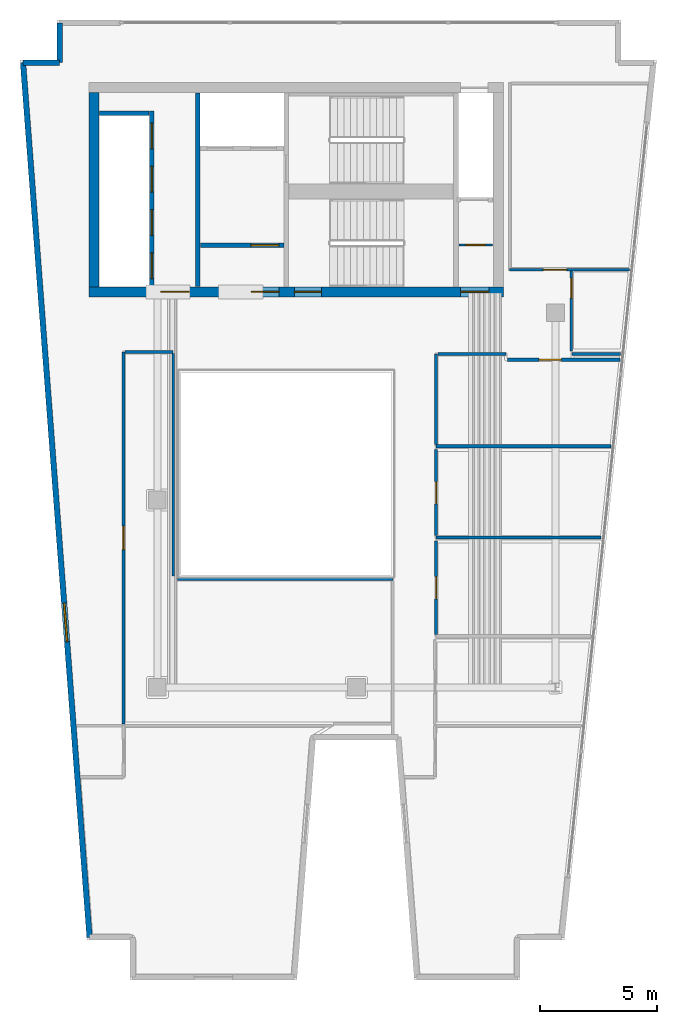
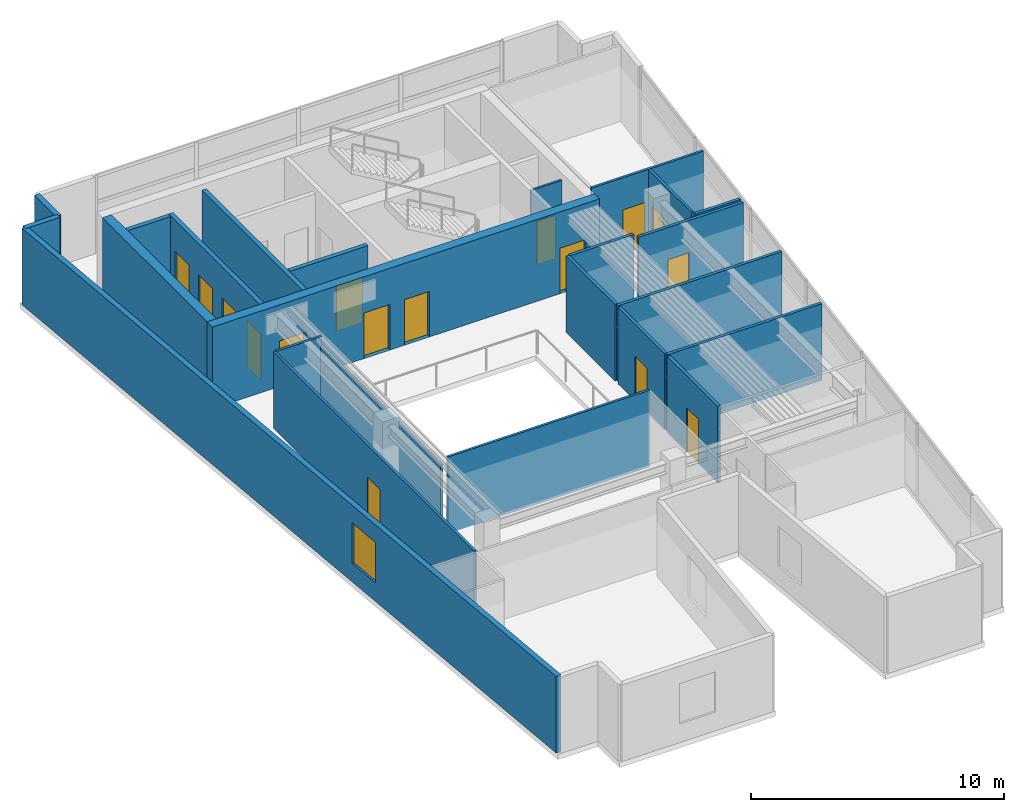
# One storey, part 3 of 6: 24 walls, 16 doors, 1 window, 17 openings.
"""IFC4 building model written with IfcOpenShell, lengths in metres."""

from ifc_helpers import new_model, si_unit, direction, frame, frame_2d, origin, place, context, subcontext, project, spatial, rectangle, extrude, material, layer, layer_set, type_object, element, fill, save


model = new_model("IFC4")

# Units and contexts
model_context = context("Model", 3, precision=1e-05, world=origin(), true_north=direction((0.0, 1.0)))
body_context = subcontext(model_context, "Body", "Model", "MODEL_VIEW")
ifc_project = project(units=[si_unit("LENGTHUNIT", "METRE"), si_unit("AREAUNIT", "SQUARE_METRE"), si_unit("VOLUMEUNIT", "CUBIC_METRE"), si_unit("PLANEANGLEUNIT", "RADIAN"), si_unit("MASSUNIT", "GRAM", prefix="KILO")], contexts=[model_context])

# Site, building, storey
site_placement = place(None, origin())
site = spatial("IfcSite", under=ifc_project, at=site_placement, CompositionType="ELEMENT")
building_placement = place(site_placement, origin())
building = spatial("IfcBuilding", under=site, at=building_placement, Name="Caeloran Harvest Quay", CompositionType="ELEMENT")
storey_placement = place(building_placement, frame((0.0, 0.0, 284.35009765625)))
storey = spatial("IfcBuildingStorey", under=building, at=storey_placement, Name="L68", CompositionType="ELEMENT", Elevation=284.35009765625)

# Wall, opening, window
ifc_material_1 = material(Name="Precast concrete C50/60", Category="concrete")
ifc_layer_1 = layer(ifc_material_1, 0.239990234375, Name="Precast concrete C50/60")
ifc_layer_set_1 = layer_set([ifc_layer_1], Name="Precast concrete C50/60")
wall_type_1 = type_object("IfcWallType", Name="ENV-WALL-EW-240", PredefinedType="STANDARD", material=ifc_layer_set_1)
wall_1_placement = place(storey_placement, frame((5.600341796875, 4.320068359375, 0.0), z_axis=(0.0, 0.0, 1.0), x_axis=(-0.075839920993, 0.997120006009, 0.0)))
wall_1 = element("IfcWall", 1, at=wall_1_placement, inside=storey, type_object=wall_type_1, Name="L68 Exterior Precast Concrete Facade Wall 3", PredefinedType="STANDARD", context=body_context, shape_type="SweptSolid", body=[
    extrude(rectangle(XDim=37.4677734375, YDim=0.239990234375, at=frame_2d((18.73388671875, 0.0))), origin(), (0.0, 0.0, 1.0), 3.699951171875),
])
opening_1_placement = place(wall_1_placement, frame((12.6630859375, 0.0, 0.89990234375)))
opening_1 = element("IfcOpeningElement", 2, at=opening_1_placement, cuts=wall_1, Name="Opening W-08", PredefinedType="OPENING", context=body_context, shape_type="SweptSolid", body=[
    extrude(rectangle(XDim=1.64990234375, YDim=1.949951171875, at=frame_2d((0.824951171875, 0.97509765625))), frame((0.0, 0.1298828125, 0.0), z_axis=(0.0, -1.0, 0.0), x_axis=(1.0, 0.0, 0.0)), (0.0, 0.0, 1.0), 0.260009765625),
])
ifc_material_2 = material(Name="Aluminium-Framed Low-E Laminated Glass", Category="aluminium")
window_type = type_object("IfcWindowType", Name="WIN-W-08", PartitioningType="SINGLE_PANEL", PredefinedType="WINDOW", material=ifc_material_2)
window_placement = place(opening_1_placement, origin())
window = element("IfcWindow", 3, at=window_placement, inside=storey, type_object=window_type, Name="L68 Facade Punched Window W-08", OverallHeight=1.949951171875, OverallWidth=1.64990234375, PartitioningType="SINGLE_PANEL", PredefinedType="WINDOW", context=body_context, shape_type="SweptSolid", body=[
    extrude(rectangle(XDim=1.64990234375, YDim=1.949951171875, at=frame_2d((0.824951171875, 0.97509765625))), frame((0.0, 0.030029296875, 0.0), z_axis=(0.0, -1.0, 0.0), x_axis=(1.0, 0.0, 0.0)), (0.0, 0.0, 1.0), 0.06005859375),
])
fill(opening_1, window)

# Walls
wall_2_placement = place(storey_placement, frame((2.7587890625, 41.679931640625, 0.0), z_axis=(0.0, 0.0, 1.0), x_axis=(1.0, 0.0, 0.0)))
element("IfcWall", 4, at=wall_2_placement, inside=storey, type_object=wall_type_1, Name="L68 Exterior Precast Concrete Facade Wall 4", PredefinedType="STANDARD", context=body_context, shape_type="SweptSolid", body=[
    extrude(rectangle(XDim=1.561279296875, YDim=0.239990234375, at=frame_2d((0.78076171875, 0.0))), origin(), (0.0, 0.0, 1.0), 3.699951171875),
])
wall_3_placement = place(storey_placement, frame((4.320068359375, 41.679931640625, 0.0), z_axis=(0.0, 0.0, 1.0), x_axis=(0.0, 1.0, 0.0)))
element("IfcWall", 5, at=wall_3_placement, inside=storey, type_object=wall_type_1, Name="L68 Exterior Precast Concrete Facade Wall 5", PredefinedType="STANDARD", context=body_context, shape_type="SweptSolid", body=[
    extrude(rectangle(XDim=1.699951171875, YDim=0.239990234375, at=frame_2d((0.85009765625, 0.0))), origin(), (0.0, 0.0, 1.0), 3.699951171875),
])

# Wall, opening, door
ifc_material_3 = material(Name="Fire-Resisting Gypsum Core Riser Partition", Category="gypsum")
ifc_layer_2 = layer(ifc_material_3, 0.10009765625, Name="Fire-Resisting Gypsum Core Riser Partition")
ifc_layer_set_2 = layer_set([ifc_layer_2], Name="Fire-Resisting Gypsum Core Riser Partition")
wall_type_2 = type_object("IfcWallType", Name="INT-WALL-PW-100", PredefinedType="PARTITIONING", material=ifc_layer_set_2)
wall_4_placement = place(storey_placement, frame((21.3798828125, 33.889892578125, 0.0), z_axis=(0.0, 0.0, 1.0), x_axis=(1.0, 0.0, 0.0)))
wall_4 = element("IfcWall", 6, at=wall_4_placement, inside=storey, type_object=wall_type_2, Name="L68 Cleaner Store Partition Wall", PredefinedType="PARTITIONING", context=body_context, shape_type="SweptSolid", body=[
    extrude(rectangle(XDim=1.420166015625, YDim=0.10009765625, at=frame_2d((0.7099609375, 0.0))), origin(), (0.0, 0.0, 1.0), 3.699951171875),
])
opening_2_placement = place(wall_4_placement, frame((0.280029296875, 0.0, 0.0)))
opening_2 = element("IfcOpeningElement", 7, at=opening_2_placement, cuts=wall_4, Name="Opening SV-01", PredefinedType="OPENING", context=body_context, shape_type="SweptSolid", body=[
    extrude(rectangle(XDim=0.85009765625, YDim=2.10009765625, at=frame_2d((0.425048828125, 1.050048828125))), frame((0.0, 0.06005859375, 0.0), z_axis=(0.0, -1.0, 0.0), x_axis=(1.0, 0.0, 0.0)), (0.0, 0.0, 1.0), 0.1201171875),
])
ifc_material_4 = material(Name="Galvanized Painted Steel", Category="steel")
door_type_1 = type_object("IfcDoorType", Name="INTDOOR-SV-01", OperationType="NOTDEFINED", PredefinedType="DOOR", material=ifc_material_4)
door_1_placement = place(opening_2_placement, origin())
door_1 = element("IfcDoor", 8, at=door_1_placement, inside=storey, type_object=door_type_1, Name="L68 Cleaner Supply Store Access Door", OperationType="SINGLE_SWING_RIGHT", OverallHeight=2.10009765625, OverallWidth=0.85009765625, PredefinedType="DOOR", context=body_context, shape_type="SweptSolid", body=[
    extrude(rectangle(XDim=0.85009765625, YDim=2.10009765625, at=frame_2d((0.425048828125, 1.050048828125))), frame((0.0, 0.02490234375, 0.0), z_axis=(0.0, -1.0, 0.0), x_axis=(1.0, 0.0, 0.0)), (0.0, 0.0, 1.0), 0.050048828125),
])
fill(opening_2, door_1)

ifc_material_5 = material(Name="Single-Stud Acoustic Gypsum Office Partition", Category="gypsum")
ifc_layer_3 = layer(ifc_material_5, 0.112060546875, Name="Single-Stud Acoustic Gypsum Office Partition")
ifc_layer_set_3 = layer_set([ifc_layer_3], Name="Single-Stud Acoustic Gypsum Office Partition")
wall_type_3 = type_object("IfcWallType", Name="INT-WALL-PW-112", PredefinedType="PARTITIONING", material=ifc_layer_set_3)
wall_5_placement = place(storey_placement, frame((28.654052734375, 32.840087890625, 0.0), z_axis=(0.0, 0.0, 1.0), x_axis=(-1.0, 0.0, 0.0)))
wall_5 = element("IfcWall", 9, at=wall_5_placement, inside=storey, type_object=wall_type_3, Name="L68 Bioinformatics and Crop Phenotyping Laboratory Partition Wall", PredefinedType="PARTITIONING", context=body_context, shape_type="SweptSolid", body=[
    extrude(rectangle(XDim=5.114013671875, YDim=0.112060546875, at=frame_2d((2.55712890625, 0.0))), origin(), (0.0, 0.0, 1.0), 3.699951171875),
])
opening_3_placement = place(wall_5_placement, frame((2.6767578125, 0.0, 0.0)))
opening_3 = element("IfcOpeningElement", 10, at=opening_3_placement, cuts=wall_5, Name="Opening ID-01", PredefinedType="OPENING", context=body_context, shape_type="SweptSolid", body=[
    extrude(rectangle(XDim=1.0, YDim=2.14990234375, at=frame_2d((0.5, 1.074951171875))), frame((0.0, 0.06591796875, 0.0), z_axis=(0.0, -1.0, 0.0), x_axis=(1.0, 0.0, 0.0)), (0.0, 0.0, 1.0), 0.132080078125),
])
ifc_material_6 = material(Name="FSC Solid-Core Ash Timber and Acoustic Seal", Category="wood")
door_type_2 = type_object("IfcDoorType", Name="INTDOOR-ID-01", OperationType="NOTDEFINED", PredefinedType="DOOR", material=ifc_material_6)
door_2_placement = place(opening_3_placement, origin())
door_2 = element("IfcDoor", 11, at=door_2_placement, inside=storey, type_object=door_type_2, Name="L68 Bioinformatics and Crop Phenotyping Laboratory Access Door", OperationType="SINGLE_SWING_RIGHT", OverallHeight=2.14990234375, OverallWidth=1.0, PredefinedType="DOOR", context=body_context, shape_type="SweptSolid", body=[
    extrude(rectangle(XDim=1.0, YDim=2.14990234375, at=frame_2d((0.5, 1.074951171875))), frame((0.0, 0.02490234375, 0.0), z_axis=(0.0, -1.0, 0.0), x_axis=(1.0, 0.0, 0.0)), (0.0, 0.0, 1.0), 0.050048828125),
])
fill(opening_3, door_2)

# Wall
wall_6_placement = place(storey_placement, frame((9.35009765625, 19.6201171875, 0.0), z_axis=(0.0, 0.0, 1.0), x_axis=(1.0, 0.0, 0.0)))
element("IfcWall", 12, at=wall_6_placement, inside=storey, type_object=wall_type_3, Name="Managing Principal Office Partition Wall", PredefinedType="PARTITIONING", context=body_context, shape_type="SweptSolid", body=[
    extrude(rectangle(XDim=9.199951171875, YDim=0.112060546875, at=frame_2d((4.60009765625, 0.0))), origin(), (0.0, 0.0, 1.0), 3.699951171875),
])

# Wall, opening, door
wall_7_placement = place(storey_placement, frame((7.050048828125, 13.43994140625, 0.0), z_axis=(0.0, 0.0, 1.0), x_axis=(0.0, 1.0, 0.0)))
wall_7 = element("IfcWall", 13, at=wall_7_placement, inside=storey, type_object=wall_type_3, Name="Managing Principal Office Partition Wall", PredefinedType="PARTITIONING", context=body_context, shape_type="SweptSolid", body=[
    extrude(rectangle(XDim=15.880126953125, YDim=0.112060546875, at=frame_2d((7.93994140625, 0.0))), origin(), (0.0, 0.0, 1.0), 3.699951171875),
])
opening_4_placement = place(wall_7_placement, frame((7.43994140625, 0.0, 0.0)))
opening_4 = element("IfcOpeningElement", 14, at=opening_4_placement, cuts=wall_7, Name="Opening ID-01", PredefinedType="OPENING", context=body_context, shape_type="SweptSolid", body=[
    extrude(rectangle(XDim=1.0, YDim=2.14990234375, at=frame_2d((0.5, 1.074951171875))), frame((0.0, 0.06591796875, 0.0), z_axis=(0.0, -1.0, 0.0), x_axis=(1.0, 0.0, 0.0)), (0.0, 0.0, 1.0), 0.132080078125),
])
door_3_placement = place(opening_4_placement, origin())
door_3 = element("IfcDoor", 15, at=door_3_placement, inside=storey, type_object=door_type_2, Name="Managing Principal Office Access Door", OperationType="SINGLE_SWING_RIGHT", OverallHeight=2.14990234375, OverallWidth=1.0, PredefinedType="DOOR", context=body_context, shape_type="SweptSolid", body=[
    extrude(rectangle(XDim=1.0, YDim=2.14990234375, at=frame_2d((0.5, 1.074951171875))), frame((0.0, 0.02490234375, 0.0), z_axis=(0.0, -1.0, 0.0), x_axis=(1.0, 0.0, 0.0)), (0.0, 0.0, 1.0), 0.050048828125),
])
fill(opening_4, door_3)

# Walls
wall_8_placement = place(storey_placement, frame((7.111083984375, 29.320068359375, 0.0), z_axis=(0.0, 0.0, 1.0), x_axis=(1.0, 0.0, 0.0)))
element("IfcWall", 16, at=wall_8_placement, inside=storey, type_object=wall_type_3, Name="Managing Principal Office Partition Wall", PredefinedType="PARTITIONING", context=body_context, shape_type="SweptSolid", body=[
    extrude(rectangle(XDim=2.058837890625, YDim=0.112060546875, at=frame_2d((1.029296875, 0.0))), origin(), (0.0, 0.0, 1.0), 3.699951171875),
])
wall_9_placement = place(storey_placement, frame((9.169921875, 29.259033203125, 0.0), z_axis=(0.0, 0.0, 1.0), x_axis=(0.0, -1.0, 0.0)))
element("IfcWall", 17, at=wall_9_placement, inside=storey, type_object=wall_type_3, Name="Managing Principal Office Partition Wall", PredefinedType="PARTITIONING", context=body_context, shape_type="SweptSolid", body=[
    extrude(rectangle(XDim=9.509033203125, YDim=0.112060546875, at=frame_2d((4.75439453125, 0.0))), origin(), (0.0, 0.0, 1.0), 3.284912109375),
])

# Wall, opening, door
wall_10_placement = place(storey_placement, frame((26.179931640625, 29.3701171875, 0.0), z_axis=(0.0, 0.0, 1.0), x_axis=(0.0, 1.0, 0.0)))
wall_10 = element("IfcWall", 18, at=wall_10_placement, inside=storey, type_object=wall_type_3, Name="Executive Sky-Floor Office 5 Partition Wall", PredefinedType="PARTITIONING", context=body_context, shape_type="SweptSolid", body=[
    extrude(rectangle(XDim=3.408935546875, YDim=0.112060546875, at=frame_2d((1.70458984375, 0.0))), origin(), (0.0, 0.0, 1.0), 3.699951171875),
])
opening_5_placement = place(wall_10_placement, frame((2.25341796875, 0.0, 0.0)))
opening_5 = element("IfcOpeningElement", 19, at=opening_5_placement, cuts=wall_10, Name="Opening SV-01", PredefinedType="OPENING", context=body_context, shape_type="SweptSolid", body=[
    extrude(rectangle(XDim=0.85009765625, YDim=2.10009765625, at=frame_2d((0.425048828125, 1.050048828125))), frame((0.0, 0.06591796875, 0.0), z_axis=(0.0, -1.0, 0.0), x_axis=(1.0, 0.0, 0.0)), (0.0, 0.0, 1.0), 0.132080078125),
])
door_4_placement = place(opening_5_placement, origin())
door_4 = element("IfcDoor", 20, at=door_4_placement, inside=storey, type_object=door_type_1, Name="Executive Sky-Floor Office 5 Access Door", OperationType="SINGLE_SWING_LEFT", OverallHeight=2.10009765625, OverallWidth=0.85009765625, PredefinedType="DOOR", context=body_context, shape_type="SweptSolid", body=[
    extrude(rectangle(XDim=0.85009765625, YDim=2.10009765625, at=frame_2d((0.425048828125, 1.050048828125))), frame((0.0, 0.02490234375, 0.0), z_axis=(0.0, -1.0, 0.0), x_axis=(1.0, 0.0, 0.0)), (0.0, 0.0, 1.0), 0.050048828125),
])
fill(opening_5, door_4)

ifc_material_7 = material(Name="Moisture-Resistant Cement-Board Sanitary Partition", Category="gypsum")
ifc_layer_4 = layer(ifc_material_7, 0.139892578125, Name="Moisture-Resistant Cement-Board Sanitary Partition")
ifc_layer_set_4 = layer_set([ifc_layer_4], Name="Moisture-Resistant Cement-Board Sanitary Partition")
wall_type_4 = type_object("IfcWallType", Name="INT-WALL-PW-140", PredefinedType="PARTITIONING", material=ifc_layer_set_4)
wall_11_placement = place(storey_placement, frame((23.449951171875, 28.989990234375, 0.0), z_axis=(0.0, 0.0, 1.0), x_axis=(1.0, 0.0, 0.0)))
wall_11 = element("IfcWall", 21, at=wall_11_placement, inside=storey, type_object=wall_type_4, Name="L68 Male Washroom WC Partition Wall", PredefinedType="PARTITIONING", context=body_context, shape_type="SweptSolid", body=[
    extrude(rectangle(XDim=4.799560546875, YDim=0.139892578125, at=frame_2d((2.39990234375, 0.0))), origin(), (0.0, 0.0, 1.0), 3.699951171875),
])
opening_6_placement = place(wall_11_placement, frame((1.347412109375, 0.0, 0.0)))
opening_6 = element("IfcOpeningElement", 22, at=opening_6_placement, cuts=wall_11, Name="Opening WC-01", PredefinedType="OPENING", context=body_context, shape_type="SweptSolid", body=[
    extrude(rectangle(XDim=0.949951171875, YDim=2.14990234375, at=frame_2d((0.47509765625, 1.074951171875))), frame((0.0, 0.080078125, 0.0), z_axis=(0.0, -1.0, 0.0), x_axis=(1.0, 0.0, 0.0)), (0.0, 0.0, 1.0), 0.159912109375),
])
ifc_material_8 = material(Name="High-Pressure Laminate Moisture-Resistant Timber", Category="wood")
door_type_3 = type_object("IfcDoorType", Name="INTDOOR-WC-01", OperationType="NOTDEFINED", PredefinedType="DOOR", material=ifc_material_8)
door_5_placement = place(opening_6_placement, origin())
door_5 = element("IfcDoor", 23, at=door_5_placement, inside=storey, type_object=door_type_3, Name="L68 Male Washroom WC Access Door", OperationType="SINGLE_SWING_RIGHT", OverallHeight=2.14990234375, OverallWidth=0.949951171875, PredefinedType="DOOR", context=body_context, shape_type="SweptSolid", body=[
    extrude(rectangle(XDim=0.949951171875, YDim=2.14990234375, at=frame_2d((0.47509765625, 1.074951171875))), frame((0.0, 0.02490234375, 0.0), z_axis=(0.0, -1.0, 0.0), x_axis=(1.0, 0.0, 0.0)), (0.0, 0.0, 1.0), 0.050048828125),
])
fill(opening_6, door_5)

# Walls
wall_12_placement = place(storey_placement, frame((26.2099609375, 29.239990234375, 0.0), z_axis=(0.0, 0.0, 1.0), x_axis=(1.0, 0.0, 0.0)))
element("IfcWall", 24, at=wall_12_placement, inside=storey, type_object=wall_type_4, Name="L68 Male Washroom WC Partition Wall", PredefinedType="PARTITIONING", context=body_context, shape_type="SweptSolid", body=[
    extrude(rectangle(XDim=2.06591796875, YDim=0.139892578125, at=frame_2d((1.032958984375, 0.0))), origin(), (0.0, 0.0, 1.0), 3.699951171875),
])
wall_13_placement = place(storey_placement, frame((27.862060546875, 25.300048828125, 0.0), z_axis=(0.0, 0.0, 1.0), x_axis=(-1.0, 0.0, 0.0)))
element("IfcWall", 25, at=wall_13_placement, inside=storey, type_object=wall_type_4, Name="L68 Male Washroom WC Partition Wall", PredefinedType="PARTITIONING", context=body_context, shape_type="SweptSolid", body=[
    extrude(rectangle(XDim=7.462158203125, YDim=0.139892578125, at=frame_2d((3.73095703125, 0.0))), origin(), (0.0, 0.0, 1.0), 3.699951171875),
])
wall_14_placement = place(storey_placement, frame((20.39990234375, 25.375, 0.0), z_axis=(0.0, 0.0, 1.0), x_axis=(0.0, 1.0, 0.0)))
element("IfcWall", 26, at=wall_14_placement, inside=storey, type_object=wall_type_4, Name="L68 Male Washroom WC Partition Wall", PredefinedType="PARTITIONING", context=body_context, shape_type="SweptSolid", body=[
    extrude(rectangle(XDim=3.864990234375, YDim=0.139892578125, at=frame_2d((1.9326171875, 0.0))), origin(), (0.0, 0.0, 1.0), 3.699951171875),
])
wall_15_placement = place(storey_placement, frame((20.47509765625, 29.239990234375, 0.0), z_axis=(0.0, 0.0, 1.0), x_axis=(1.0, 0.0, 0.0)))
element("IfcWall", 27, at=wall_15_placement, inside=storey, type_object=wall_type_4, Name="L68 Male Washroom WC Partition Wall", PredefinedType="PARTITIONING", context=body_context, shape_type="SweptSolid", body=[
    extrude(rectangle(XDim=2.914794921875, YDim=0.139892578125, at=frame_2d((1.45751953125, 0.0))), origin(), (0.0, 0.0, 1.0), 3.699951171875),
])
wall_16_placement = place(storey_placement, frame((27.452392578125, 21.39990234375, 0.0), z_axis=(0.0, 0.0, 1.0), x_axis=(-1.0, 0.0, 0.0)))
element("IfcWall", 28, at=wall_16_placement, inside=storey, type_object=wall_type_4, Name="L68 Female Washroom WC Partition Wall", PredefinedType="PARTITIONING", context=body_context, shape_type="SweptSolid", body=[
    extrude(rectangle(XDim=7.052490234375, YDim=0.139892578125, at=frame_2d((3.5263671875, 0.0))), origin(), (0.0, 0.0, 1.0), 3.699951171875),
])

# Wall, opening, door
wall_17_placement = place(storey_placement, frame((20.39990234375, 21.47509765625, 0.0), z_axis=(0.0, 0.0, 1.0), x_axis=(0.0, 1.0, 0.0)))
wall_17 = element("IfcWall", 29, at=wall_17_placement, inside=storey, type_object=wall_type_4, Name="L68 Female Washroom WC Partition Wall", PredefinedType="PARTITIONING", context=body_context, shape_type="SweptSolid", body=[
    extrude(rectangle(XDim=3.6748046875, YDim=0.139892578125, at=frame_2d((1.83740234375, 0.0))), origin(), (0.0, 0.0, 1.0), 3.699951171875),
])
opening_7_placement = place(wall_17_placement, frame((1.362548828125, 0.0, 0.0)))
opening_7 = element("IfcOpeningElement", 30, at=opening_7_placement, cuts=wall_17, Name="Opening WC-01", PredefinedType="OPENING", context=body_context, shape_type="SweptSolid", body=[
    extrude(rectangle(XDim=0.949951171875, YDim=2.14990234375, at=frame_2d((0.47509765625, 1.074951171875))), frame((0.0, 0.080078125, 0.0), z_axis=(0.0, -1.0, 0.0), x_axis=(1.0, 0.0, 0.0)), (0.0, 0.0, 1.0), 0.159912109375),
])
door_6_placement = place(opening_7_placement, origin())
door_6 = element("IfcDoor", 31, at=door_6_placement, inside=storey, type_object=door_type_3, Name="L68 Female Washroom WC Access Door", OperationType="SINGLE_SWING_LEFT", OverallHeight=2.14990234375, OverallWidth=0.949951171875, PredefinedType="DOOR", context=body_context, shape_type="SweptSolid", body=[
    extrude(rectangle(XDim=0.949951171875, YDim=2.14990234375, at=frame_2d((0.47509765625, 1.074951171875))), frame((0.0, 0.02490234375, 0.0), z_axis=(0.0, -1.0, 0.0), x_axis=(1.0, 0.0, 0.0)), (0.0, 0.0, 1.0), 0.050048828125),
])
fill(opening_7, door_6)

wall_18_placement = place(storey_placement, frame((20.39990234375, 17.2548828125, 0.0), z_axis=(0.0, 0.0, 1.0), x_axis=(0.0, 1.0, 0.0)))
wall_18 = element("IfcWall", 32, at=wall_18_placement, inside=storey, type_object=wall_type_4, Name="L68 Accessible Unisex Washroom WC Partition Wall", PredefinedType="PARTITIONING", context=body_context, shape_type="SweptSolid", body=[
    extrude(rectangle(XDim=3.9951171875, YDim=0.139892578125, at=frame_2d((1.99755859375, 0.0))), origin(), (0.0, 0.0, 1.0), 3.699951171875),
])
opening_8_placement = place(wall_18_placement, frame((1.5224609375, 0.0, 0.0)))
opening_8 = element("IfcOpeningElement", 33, at=opening_8_placement, cuts=wall_18, Name="Opening WC-01", PredefinedType="OPENING", context=body_context, shape_type="SweptSolid", body=[
    extrude(rectangle(XDim=0.949951171875, YDim=2.14990234375, at=frame_2d((0.47509765625, 1.074951171875))), frame((0.0, 0.080078125, 0.0), z_axis=(0.0, -1.0, 0.0), x_axis=(1.0, 0.0, 0.0)), (0.0, 0.0, 1.0), 0.159912109375),
])
door_7_placement = place(opening_8_placement, origin())
door_7 = element("IfcDoor", 34, at=door_7_placement, inside=storey, type_object=door_type_3, Name="L68 Accessible Unisex Washroom WC Access Door", OperationType="SINGLE_SWING_RIGHT", OverallHeight=2.14990234375, OverallWidth=0.949951171875, PredefinedType="DOOR", context=body_context, shape_type="SweptSolid", body=[
    extrude(rectangle(XDim=0.949951171875, YDim=2.14990234375, at=frame_2d((0.47509765625, 1.074951171875))), frame((0.0, 0.02490234375, 0.0), z_axis=(0.0, -1.0, 0.0), x_axis=(1.0, 0.0, 0.0)), (0.0, 0.0, 1.0), 0.050048828125),
])
fill(opening_8, door_7)

# Wall, openings, doors
ifc_material_9 = material(Name="Concrete C50/60", Category="concrete")
ifc_layer_5 = layer(ifc_material_9, 0.199951171875, Name="Concrete C50/60")
ifc_layer_set_5 = layer_set([ifc_layer_5], Name="Concrete C50/60")
wall_type_5 = type_object("IfcWallType", Name="INT-WALL-SW-200", PredefinedType="PARTITIONING", material=ifc_layer_set_5)
wall_19_placement = place(storey_placement, frame((8.260009765625, 32.1201171875, 0.0), z_axis=(0.0, 0.0, 1.0), x_axis=(0.0, 1.0, 0.0)))
wall_19 = element("IfcWall", 35, at=wall_19_placement, inside=storey, type_object=wall_type_5, Name="L68 Bank 3 Lift Shaft Wall", PredefinedType="PARTITIONING", context=body_context, shape_type="SweptSolid", body=[
    extrude(rectangle(XDim=7.5, YDim=0.199951171875, at=frame_2d((3.75, 0.0))), origin(), (0.0, 0.0, 1.0), 3.699951171875),
])
opening_9_placement = place(wall_19_placement, frame((0.330078125, 0.0, 0.0)))
opening_9 = element("IfcOpeningElement", 36, at=opening_9_placement, cuts=wall_19, Name="Opening LD-01", PredefinedType="OPENING", context=body_context, shape_type="SweptSolid", body=[
    extrude(rectangle(XDim=1.10009765625, YDim=2.199951171875, at=frame_2d((0.550048828125, 1.10009765625))), frame((0.0, 0.10986328125, 0.0), z_axis=(0.0, -1.0, 0.0), x_axis=(1.0, 0.0, 0.0)), (0.0, 0.0, 1.0), 0.219970703125),
])
opening_10_placement = place(wall_19_placement, frame((2.179931640625, 0.0, 0.0)))
opening_10 = element("IfcOpeningElement", 37, at=opening_10_placement, cuts=wall_19, Name="Opening LD-01", PredefinedType="OPENING", context=body_context, shape_type="SweptSolid", body=[
    extrude(rectangle(XDim=1.10009765625, YDim=2.199951171875, at=frame_2d((0.550048828125, 1.10009765625))), frame((0.0, 0.10986328125, 0.0), z_axis=(0.0, -1.0, 0.0), x_axis=(1.0, 0.0, 0.0)), (0.0, 0.0, 1.0), 0.219970703125),
])
opening_11_placement = place(wall_19_placement, frame((4.030029296875, 0.0, 0.0)))
opening_11 = element("IfcOpeningElement", 38, at=opening_11_placement, cuts=wall_19, Name="Opening LD-01", PredefinedType="OPENING", context=body_context, shape_type="SweptSolid", body=[
    extrude(rectangle(XDim=1.10009765625, YDim=2.199951171875, at=frame_2d((0.550048828125, 1.10009765625))), frame((0.0, 0.10986328125, 0.0), z_axis=(0.0, -1.0, 0.0), x_axis=(1.0, 0.0, 0.0)), (0.0, 0.0, 1.0), 0.219970703125),
])
opening_12_placement = place(wall_19_placement, frame((5.8798828125, 0.0, 0.0)))
opening_12 = element("IfcOpeningElement", 39, at=opening_12_placement, cuts=wall_19, Name="Opening LD-01", PredefinedType="OPENING", context=body_context, shape_type="SweptSolid", body=[
    extrude(rectangle(XDim=1.10009765625, YDim=2.199951171875, at=frame_2d((0.550048828125, 1.10009765625))), frame((0.0, 0.10986328125, 0.0), z_axis=(0.0, -1.0, 0.0), x_axis=(1.0, 0.0, 0.0)), (0.0, 0.0, 1.0), 0.219970703125),
])
ifc_material_10 = material(Name="Stainless Steel Grade 316", Category="steel")
door_type_4 = type_object("IfcDoorType", Name="INTDOOR-LD-01", OperationType="NOTDEFINED", PredefinedType="DOOR", material=ifc_material_10)
door_8_placement = place(opening_9_placement, origin())
door_8 = element("IfcDoor", 40, at=door_8_placement, inside=storey, type_object=door_type_4, Name="Lift P3-1 Sliding Landing Door (L68)", OperationType="DOUBLE_DOOR_SLIDING", OverallHeight=2.199951171875, OverallWidth=1.10009765625, PredefinedType="DOOR", context=body_context, shape_type="SweptSolid", body=[
    extrude(rectangle(XDim=1.10009765625, YDim=2.199951171875, at=frame_2d((0.550048828125, 1.10009765625))), frame((0.0, 0.02490234375, 0.0), z_axis=(0.0, -1.0, 0.0), x_axis=(1.0, 0.0, 0.0)), (0.0, 0.0, 1.0), 0.050048828125),
])
fill(opening_9, door_8)
door_9_placement = place(opening_10_placement, origin())
door_9 = element("IfcDoor", 41, at=door_9_placement, inside=storey, type_object=door_type_4, Name="Lift P3-2 Sliding Landing Door (L68)", OperationType="DOUBLE_DOOR_SLIDING", OverallHeight=2.199951171875, OverallWidth=1.10009765625, PredefinedType="DOOR", context=body_context, shape_type="SweptSolid", body=[
    extrude(rectangle(XDim=1.10009765625, YDim=2.199951171875, at=frame_2d((0.550048828125, 1.10009765625))), frame((0.0, 0.02490234375, 0.0), z_axis=(0.0, -1.0, 0.0), x_axis=(1.0, 0.0, 0.0)), (0.0, 0.0, 1.0), 0.050048828125),
])
fill(opening_10, door_9)
door_10_placement = place(opening_11_placement, origin())
door_10 = element("IfcDoor", 42, at=door_10_placement, inside=storey, type_object=door_type_4, Name="Lift P3-3 Sliding Landing Door (L68)", OperationType="DOUBLE_DOOR_SLIDING", OverallHeight=2.199951171875, OverallWidth=1.10009765625, PredefinedType="DOOR", context=body_context, shape_type="SweptSolid", body=[
    extrude(rectangle(XDim=1.10009765625, YDim=2.199951171875, at=frame_2d((0.550048828125, 1.10009765625))), frame((0.0, 0.02490234375, 0.0), z_axis=(0.0, -1.0, 0.0), x_axis=(1.0, 0.0, 0.0)), (0.0, 0.0, 1.0), 0.050048828125),
])
fill(opening_11, door_10)
door_11_placement = place(opening_12_placement, origin())
door_11 = element("IfcDoor", 43, at=door_11_placement, inside=storey, type_object=door_type_4, Name="Lift P3-4 Sliding Landing Door (L68)", OperationType="DOUBLE_DOOR_SLIDING", OverallHeight=2.199951171875, OverallWidth=1.10009765625, PredefinedType="DOOR", context=body_context, shape_type="SweptSolid", body=[
    extrude(rectangle(XDim=1.10009765625, YDim=2.199951171875, at=frame_2d((0.550048828125, 1.10009765625))), frame((0.0, 0.02490234375, 0.0), z_axis=(0.0, -1.0, 0.0), x_axis=(1.0, 0.0, 0.0)), (0.0, 0.0, 1.0), 0.050048828125),
])
fill(opening_12, door_11)

# Walls
wall_20_placement = place(storey_placement, frame((6.02001953125, 39.52001953125, 0.0), z_axis=(0.0, 0.0, 1.0), x_axis=(1.0, 0.0, 0.0)))
element("IfcWall", 44, at=wall_20_placement, inside=storey, type_object=wall_type_5, Name="L68 Bank 3 Lift Shaft North End Wall", PredefinedType="PARTITIONING", context=body_context, shape_type="SweptSolid", body=[
    extrude(rectangle(XDim=2.119873046875, YDim=0.199951171875, at=frame_2d((1.06005859375, 0.0))), origin(), (0.0, 0.0, 1.0), 3.699951171875),
])
wall_21_placement = place(storey_placement, frame((10.219970703125, 32.1201171875, 0.0), z_axis=(0.0, 0.0, 1.0), x_axis=(0.0, 1.0, 0.0)))
element("IfcWall", 45, at=wall_21_placement, inside=storey, type_object=wall_type_5, Name="L68 Core Lobby Compartment Wall", PredefinedType="PARTITIONING", context=body_context, shape_type="SweptSolid", body=[
    extrude(rectangle(XDim=8.259765625, YDim=0.199951171875, at=frame_2d((4.1298828125, 0.0))), origin(), (0.0, 0.0, 1.0), 3.699951171875),
])

# Wall, opening, door
wall_22_placement = place(storey_placement, frame((10.340087890625, 33.8798828125, 0.0), z_axis=(0.0, 0.0, 1.0), x_axis=(1.0, 0.0, 0.0)))
wall_22 = element("IfcWall", 46, at=wall_22_placement, inside=storey, type_object=wall_type_5, Name="L68 Firefighting Lift Lobby Enclosure Wall", PredefinedType="PARTITIONING", context=body_context, shape_type="SweptSolid", body=[
    extrude(rectangle(XDim=3.559814453125, YDim=0.199951171875, at=frame_2d((1.77978515625, 0.0))), origin(), (0.0, 0.0, 1.0), 3.699951171875),
])
opening_13_placement = place(wall_22_placement, frame((2.14990234375, 0.0, 0.0)))
opening_13 = element("IfcOpeningElement", 47, at=opening_13_placement, cuts=wall_22, Name="Opening FD-01", PredefinedType="OPENING", context=body_context, shape_type="SweptSolid", body=[
    extrude(rectangle(XDim=1.199951171875, YDim=2.199951171875, at=frame_2d((0.60009765625, 1.10009765625))), frame((0.0, 0.10986328125, 0.0), z_axis=(0.0, -1.0, 0.0), x_axis=(1.0, 0.0, 0.0)), (0.0, 0.0, 1.0), 0.219970703125),
])
ifc_material_11 = material(Name="Steel", Category="steel")
door_type_5 = type_object("IfcDoorType", Name="INTDOOR-FD-01", OperationType="NOTDEFINED", PredefinedType="DOOR", material=ifc_material_11)
door_12_placement = place(opening_13_placement, origin())
door_12 = element("IfcDoor", 48, at=door_12_placement, inside=storey, type_object=door_type_5, Name="L68 Firefighting Lift Lobby Smoke-Seal Fire Door", OperationType="SINGLE_SWING_RIGHT", OverallHeight=2.199951171875, OverallWidth=1.199951171875, PredefinedType="DOOR", context=body_context, shape_type="SweptSolid", body=[
    extrude(rectangle(XDim=1.199951171875, YDim=2.199951171875, at=frame_2d((0.60009765625, 1.10009765625))), frame((0.0, 0.02490234375, 0.0), z_axis=(0.0, -1.0, 0.0), x_axis=(1.0, 0.0, 0.0)), (0.0, 0.0, 1.0), 0.050048828125),
])
fill(opening_13, door_12)

# Wall, openings, doors
ifc_material_12 = material(Name="Concrete C60/75", Category="concrete")
ifc_layer_6 = layer(ifc_material_12, 0.419921875, Name="Concrete C60/75")
ifc_layer_set_6 = layer_set([ifc_layer_6], Name="Concrete C60/75")
wall_type_6 = type_object("IfcWallType", Name="STR-WALL-CW-420", PredefinedType="SHEAR", material=ifc_layer_set_6)
wall_23_placement = place(storey_placement, frame((5.580078125, 31.889892578125, 0.0), z_axis=(0.0, 0.0, 1.0), x_axis=(1.0, 0.0, 0.0)))
wall_23 = element("IfcWall", 49, at=wall_23_placement, inside=storey, type_object=wall_type_6, Name="L68 Rear Core Shear Wall S", PredefinedType="SHEAR", context=body_context, shape_type="SweptSolid", body=[
    extrude(rectangle(XDim=17.68994140625, YDim=0.419921875, at=frame_2d((8.844970703125, 0.0))), origin(), (0.0, 0.0, 1.0), 3.949951171875),
])
opening_14_placement = place(wall_23_placement, frame((3.070068359375, 0.0, 0.0)))
opening_14 = element("IfcOpeningElement", 50, at=opening_14_placement, cuts=wall_23, Name="Opening FD-01", PredefinedType="OPENING", context=body_context, shape_type="SweptSolid", body=[
    extrude(rectangle(XDim=1.199951171875, YDim=2.199951171875, at=frame_2d((0.60009765625, 1.10009765625))), frame((0.0, 0.219970703125, 0.0), z_axis=(0.0, -1.0, 0.0), x_axis=(1.0, 0.0, 0.0)), (0.0, 0.0, 1.0), 0.43994140625),
])
opening_15_placement = place(wall_23_placement, frame((6.919921875, 0.0, 0.0)))
opening_15 = element("IfcOpeningElement", 51, at=opening_15_placement, cuts=wall_23, Name="Opening FD-01", PredefinedType="OPENING", context=body_context, shape_type="SweptSolid", body=[
    extrude(rectangle(XDim=1.199951171875, YDim=2.199951171875, at=frame_2d((0.60009765625, 1.10009765625))), frame((0.0, 0.219970703125, 0.0), z_axis=(0.0, -1.0, 0.0), x_axis=(1.0, 0.0, 0.0)), (0.0, 0.0, 1.0), 0.43994140625),
])
opening_16_placement = place(wall_23_placement, frame((8.77001953125, 0.0, 0.0)))
opening_16 = element("IfcOpeningElement", 52, at=opening_16_placement, cuts=wall_23, Name="Opening SD-01", PredefinedType="OPENING", context=body_context, shape_type="SweptSolid", body=[
    extrude(rectangle(XDim=1.14990234375, YDim=2.199951171875, at=frame_2d((0.574951171875, 1.10009765625))), frame((0.0, 0.219970703125, 0.0), z_axis=(0.0, -1.0, 0.0), x_axis=(1.0, 0.0, 0.0)), (0.0, 0.0, 1.0), 0.43994140625),
])
opening_17_placement = place(wall_23_placement, frame((15.8701171875, 0.0, 0.0)))
opening_17 = element("IfcOpeningElement", 53, at=opening_17_placement, cuts=wall_23, Name="Opening FD-01", PredefinedType="OPENING", context=body_context, shape_type="SweptSolid", body=[
    extrude(rectangle(XDim=1.199951171875, YDim=2.199951171875, at=frame_2d((0.60009765625, 1.10009765625))), frame((0.0, 0.219970703125, 0.0), z_axis=(0.0, -1.0, 0.0), x_axis=(1.0, 0.0, 0.0)), (0.0, 0.0, 1.0), 0.43994140625),
])
door_13_placement = place(opening_14_placement, origin())
door_13 = element("IfcDoor", 54, at=door_13_placement, inside=storey, type_object=door_type_5, Name="L68 High-Rise Lift Lobby Fire Door", OperationType="SINGLE_SWING_RIGHT", OverallHeight=2.199951171875, OverallWidth=1.199951171875, PredefinedType="DOOR", context=body_context, shape_type="SweptSolid", body=[
    extrude(rectangle(XDim=1.199951171875, YDim=2.199951171875, at=frame_2d((0.60009765625, 1.10009765625))), frame((0.0, 0.02490234375, 0.0), z_axis=(0.0, -1.0, 0.0), x_axis=(1.0, 0.0, 0.0)), (0.0, 0.0, 1.0), 0.050048828125),
])
fill(opening_14, door_13)
door_14_placement = place(opening_15_placement, origin())
door_14 = element("IfcDoor", 55, at=door_14_placement, inside=storey, type_object=door_type_5, Name="L68 Firefighting Lobby Vestibule Fire Door", OperationType="SINGLE_SWING_LEFT", OverallHeight=2.199951171875, OverallWidth=1.199951171875, PredefinedType="DOOR", context=body_context, shape_type="SweptSolid", body=[
    extrude(rectangle(XDim=1.199951171875, YDim=2.199951171875, at=frame_2d((0.60009765625, 1.10009765625))), frame((0.0, 0.02490234375, 0.0), z_axis=(0.0, -1.0, 0.0), x_axis=(1.0, 0.0, 0.0)), (0.0, 0.0, 1.0), 0.050048828125),
])
fill(opening_15, door_14)
door_15_placement = place(opening_17_placement, origin())
door_15 = element("IfcDoor", 56, at=door_15_placement, inside=storey, type_object=door_type_5, Name="L68 Service Lift Lobby Fire Door", OperationType="SINGLE_SWING_LEFT", OverallHeight=2.199951171875, OverallWidth=1.199951171875, PredefinedType="DOOR", context=body_context, shape_type="SweptSolid", body=[
    extrude(rectangle(XDim=1.199951171875, YDim=2.199951171875, at=frame_2d((0.60009765625, 1.10009765625))), frame((0.0, 0.02490234375, 0.0), z_axis=(0.0, -1.0, 0.0), x_axis=(1.0, 0.0, 0.0)), (0.0, 0.0, 1.0), 0.050048828125),
])
fill(opening_17, door_15)
door_type_6 = type_object("IfcDoorType", Name="INTDOOR-SD-01", OperationType="NOTDEFINED", PredefinedType="DOOR", material=ifc_material_11)
door_16_placement = place(opening_16_placement, origin())
door_16 = element("IfcDoor", 57, at=door_16_placement, inside=storey, type_object=door_type_6, Name="L68 Protected Stair ST-C2 Exit Door", OperationType="SINGLE_SWING_RIGHT", OverallHeight=2.199951171875, OverallWidth=1.14990234375, PredefinedType="DOOR", context=body_context, shape_type="SweptSolid", body=[
    extrude(rectangle(XDim=1.14990234375, YDim=2.199951171875, at=frame_2d((0.574951171875, 1.10009765625))), frame((0.0, 0.02490234375, 0.0), z_axis=(0.0, -1.0, 0.0), x_axis=(1.0, 0.0, 0.0)), (0.0, 0.0, 1.0), 0.050048828125),
])
fill(opening_16, door_16)

# Wall
wall_24_placement = place(storey_placement, frame((5.7900390625, 32.10009765625, 0.0), z_axis=(0.0, 0.0, 1.0), x_axis=(0.0, 1.0, 0.0)))
element("IfcWall", 58, at=wall_24_placement, inside=storey, type_object=wall_type_6, Name="L68 Rear Core Shear Wall W", PredefinedType="SHEAR", context=body_context, shape_type="SweptSolid", body=[
    extrude(rectangle(XDim=8.2998046875, YDim=0.419921875, at=frame_2d((4.14990234375, 0.0))), origin(), (0.0, 0.0, 1.0), 3.949951171875),
])

save(model, "model.ifc")
